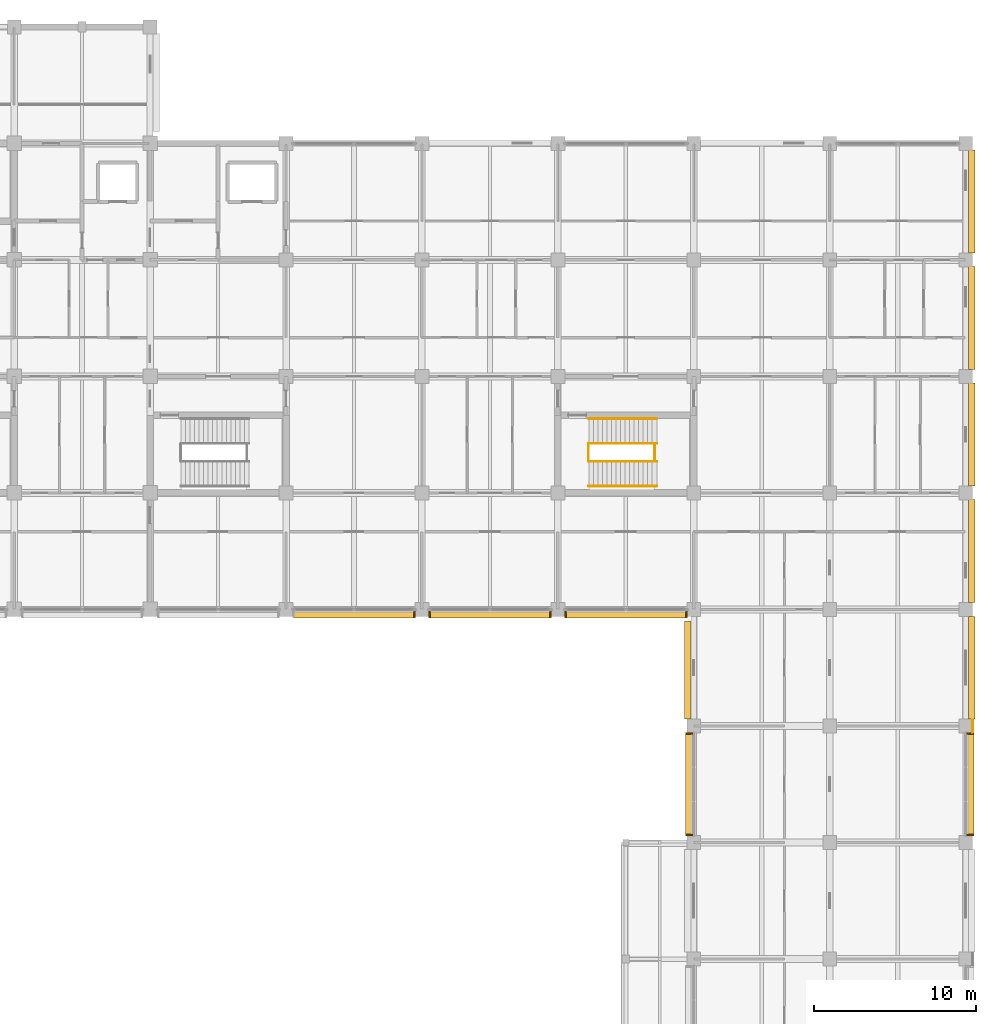
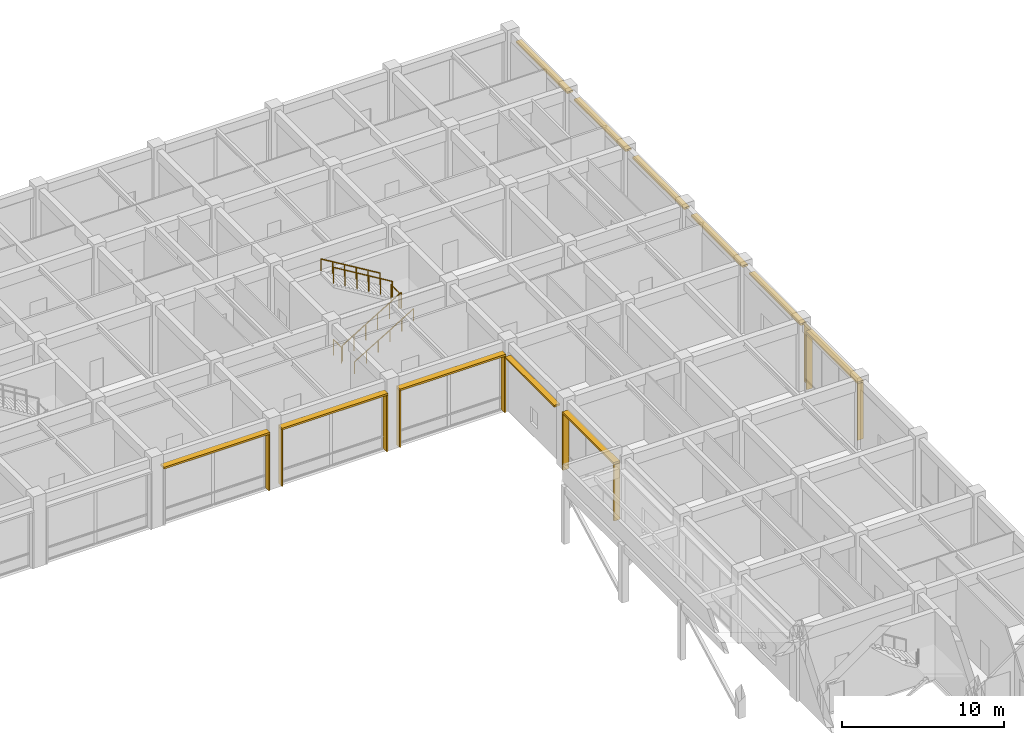
# One storey, part 68 of 68: 20 shading devices, 6 railings, 1 covering.
"""IFC4 building model written with IfcOpenShell, lengths in metres."""

from ifc_helpers import new_model, si_unit, direction, frame, origin, origin_2d, place, context, subcontext, project, spatial, rectangle, circle, extrude, material, layer, layer_set, type_object, element, save


model = new_model("IFC4")

# Units and contexts
model_context = context("Model", 3, precision=1e-05, world=origin(), true_north=direction((0.0, 1.0)))
body_context = subcontext(model_context, "Body", "Model", "MODEL_VIEW")
ifc_project = project(units=[si_unit("LENGTHUNIT", "METRE"), si_unit("AREAUNIT", "SQUARE_METRE"), si_unit("VOLUMEUNIT", "CUBIC_METRE"), si_unit("PLANEANGLEUNIT", "RADIAN"), si_unit("MASSUNIT", "GRAM", prefix="KILO")], contexts=[model_context])

# Site, building, storey
site_placement = place(None, origin())
site = spatial("IfcSite", under=ifc_project, at=site_placement, CompositionType="ELEMENT")
building_placement = place(site_placement, origin())
building = spatial("IfcBuilding", under=site, at=building_placement, Name="Chengyuan Square Courthouse", CompositionType="ELEMENT")
storey_placement = place(building_placement, frame((0.0, 0.0, 5.39990234375)))
storey = spatial("IfcBuildingStorey", under=building, at=storey_placement, Name="L02", CompositionType="ELEMENT", Elevation=5.39990234375)

# Covering
ifc_material_1 = material(Name="Flamed Liaoning Granite Column Cladding", Category="masonry")
ifc_layer = layer(ifc_material_1, 0.050048828125)
ifc_layer_set = layer_set([ifc_layer], Name="Flamed Liaoning Granite Column Cladding")
covering_type = type_object("IfcCoveringType", Name="CLD-01", PredefinedType="CLADDING", material=ifc_layer_set)
covering_placement = place(storey_placement, frame((168.445068359375, 72.0, 0.0), z_axis=(0.0, 0.0, 1.0), x_axis=(1.0, 0.0, 0.0)))
element("IfcCovering", 1, at=covering_placement, inside=storey, type_object=covering_type, Name="Granite Column Cladding CLD-L02-24", PredefinedType="CLADDING", context=body_context, shape_type="SweptSolid", body=[
    extrude(rectangle(XDim=0.050048828125, YDim=0.800048828125, at=origin_2d()), origin(), (0.0, 0.0, 1.0), 4.5),
])

# Railings
ifc_material_2 = material(Name="Tempered Glass and Timber Top-Rail Balustrade", Category="wood")
railing_type_1 = type_object("IfcRailingType", Name="RL-02", PredefinedType="BALUSTRADE", material=ifc_material_2)
for number, where, name in (
    (2, (144.68994140625, 88.39990234375, 0.0), "Stair Floor Slot Guard ST-10 L02"),
    (3, (148.7900390625, 88.39990234375, 2.7001953125), "Stair Landing Guard ST-10-L02"),
):
    element("IfcRailing", number, at=place(storey_placement, frame(where)), inside=storey, type_object=railing_type_1, Name=name, PredefinedType="BALUSTRADE", context=body_context, shape_type="SweptSolid", body=[
        extrude(circle(Radius=0.02392578125, at=origin_2d()), frame((0.0, 0.0, 1.17578125), z_axis=(0.0, 1.0, 0.0), x_axis=(-1.0, 0.0, 0.0)), (0.0, 0.0, 1.0), 1.0),
        extrude(circle(Radius=0.02099609375, at=origin_2d()), origin(), (0.0, 0.0, 1.0), 1.15185546875),
        extrude(circle(Radius=0.02099609375, at=origin_2d()), frame((0.0, 1.0, 0.0)), (0.0, 0.0, 1.0), 1.15185546875),
    ])
railing_1_placement = place(storey_placement, frame((144.7099609375, 88.35009765625, 0.1689453125)))
element("IfcRailing", 4, at=railing_1_placement, inside=storey, type_object=railing_type_1, Name="Stair Flight 1 Guard ST-10-L02", PredefinedType="BALUSTRADE", context=body_context, shape_type="SweptSolid", body=[
    extrude(circle(Radius=0.02392578125, at=origin_2d()), frame((0.0, 0.0, 1.17578125), z_axis=(0.856476492594, 0.0, 0.516186030065), x_axis=(0.0, 1.0, 0.0)), (0.0, 0.0, 1.0), 4.90380859375),
    extrude(circle(Radius=0.02099609375, at=origin_2d()), origin(), (0.0, 0.0, 1.0), 1.15185546875),
    extrude(circle(Radius=0.02099609375, at=origin_2d()), frame((0.840087890625, 0.0, 0.50634765625)), (0.0, 0.0, 1.0), 1.15185546875),
    extrude(circle(Radius=0.02099609375, at=origin_2d()), frame((1.679931640625, 0.0, 1.012451171875)), (0.0, 0.0, 1.0), 1.15185546875),
    extrude(circle(Radius=0.02099609375, at=origin_2d()), frame((2.52001953125, 0.0, 1.518798828125)), (0.0, 0.0, 1.0), 1.15185546875),
    extrude(circle(Radius=0.02099609375, at=origin_2d()), frame((3.35986328125, 0.0, 2.02490234375)), (0.0, 0.0, 1.0), 1.15185546875),
    extrude(circle(Radius=0.02099609375, at=origin_2d()), frame((4.199951171875, 0.0, 2.53125)), (0.0, 0.0, 1.0), 1.15185546875),
])
railing_2_placement = place(storey_placement, frame((148.909912109375, 89.449951171875, 2.868896484375)))
element("IfcRailing", 5, at=railing_2_placement, inside=storey, type_object=railing_type_1, Name="Stair Flight 2 Guard ST-10-L02", PredefinedType="BALUSTRADE", context=body_context, shape_type="SweptSolid", body=[
    extrude(circle(Radius=0.02392578125, at=origin_2d()), frame((0.0, 0.0, 1.17578125), z_axis=(-0.856476492594, 0.0, 0.516186030065), x_axis=(0.0, -1.0, 0.0)), (0.0, 0.0, 1.0), 4.90380859375),
    extrude(circle(Radius=0.02099609375, at=origin_2d()), origin(), (0.0, 0.0, 1.0), 1.15185546875),
    extrude(circle(Radius=0.02099609375, at=origin_2d()), frame((-0.840087890625, 0.0, 0.50634765625)), (0.0, 0.0, 1.0), 1.15185546875),
    extrude(circle(Radius=0.02099609375, at=origin_2d()), frame((-1.679931640625, 0.0, 1.012451171875)), (0.0, 0.0, 1.0), 1.15185546875),
    extrude(circle(Radius=0.02099609375, at=origin_2d()), frame((-2.52001953125, 0.0, 1.518798828125)), (0.0, 0.0, 1.0), 1.15185546875),
    extrude(circle(Radius=0.02099609375, at=origin_2d()), frame((-3.35986328125, 0.0, 2.02490234375)), (0.0, 0.0, 1.0), 1.15185546875),
    extrude(circle(Radius=0.02099609375, at=origin_2d()), frame((-4.199951171875, 0.0, 2.53125)), (0.0, 0.0, 1.0), 1.15185546875),
])
ifc_material_3 = material(Name="Stainless Steel S30408 Stair Handrail", Category="steel")
railing_type_2 = type_object("IfcRailingType", Name="RL-04", PredefinedType="HANDRAIL", material=ifc_material_3)
railing_3_placement = place(storey_placement, frame((144.7099609375, 86.820068359375, 0.1689453125)))
element("IfcRailing", 6, at=railing_3_placement, inside=storey, type_object=railing_type_2, Name="Stair Flight 1 Handrail ST-10-L02", PredefinedType="HANDRAIL", context=body_context, shape_type="SweptSolid", body=[
    extrude(circle(Radius=0.02392578125, at=origin_2d()), frame((0.0, 0.0, 0.8759765625), z_axis=(0.856476492594, 0.0, 0.516186030065), x_axis=(0.0, 1.0, 0.0)), (0.0, 0.0, 1.0), 4.90380859375),
    extrude(circle(Radius=0.02099609375, at=origin_2d()), origin(), (0.0, 0.0, 1.0), 0.851806640625),
    extrude(circle(Radius=0.02099609375, at=origin_2d()), frame((0.840087890625, 0.0, 0.50634765625)), (0.0, 0.0, 1.0), 0.851806640625),
    extrude(circle(Radius=0.02099609375, at=origin_2d()), frame((1.679931640625, 0.0, 1.012451171875)), (0.0, 0.0, 1.0), 0.851806640625),
    extrude(circle(Radius=0.02099609375, at=origin_2d()), frame((2.52001953125, 0.0, 1.518798828125)), (0.0, 0.0, 1.0), 0.851806640625),
    extrude(circle(Radius=0.02099609375, at=origin_2d()), frame((3.35986328125, 0.0, 2.02490234375)), (0.0, 0.0, 1.0), 0.851806640625),
    extrude(circle(Radius=0.02099609375, at=origin_2d()), frame((4.199951171875, 0.0, 2.53125)), (0.0, 0.0, 1.0), 0.851806640625),
])
railing_4_placement = place(storey_placement, frame((148.909912109375, 90.97998046875, 2.868896484375)))
element("IfcRailing", 7, at=railing_4_placement, inside=storey, type_object=railing_type_2, Name="Stair Flight 2 Handrail ST-10-L02", PredefinedType="HANDRAIL", context=body_context, shape_type="SweptSolid", body=[
    extrude(circle(Radius=0.02392578125, at=origin_2d()), frame((0.0, 0.0, 0.8759765625), z_axis=(-0.856476492594, 0.0, 0.516186030065), x_axis=(0.0, -1.0, 0.0)), (0.0, 0.0, 1.0), 4.90380859375),
    extrude(circle(Radius=0.02099609375, at=origin_2d()), origin(), (0.0, 0.0, 1.0), 0.851806640625),
    extrude(circle(Radius=0.02099609375, at=origin_2d()), frame((-0.840087890625, 0.0, 0.50634765625)), (0.0, 0.0, 1.0), 0.851806640625),
    extrude(circle(Radius=0.02099609375, at=origin_2d()), frame((-1.679931640625, 0.0, 1.012451171875)), (0.0, 0.0, 1.0), 0.851806640625),
    extrude(circle(Radius=0.02099609375, at=origin_2d()), frame((-2.52001953125, 0.0, 1.518798828125)), (0.0, 0.0, 1.0), 0.851806640625),
    extrude(circle(Radius=0.02099609375, at=origin_2d()), frame((-3.35986328125, 0.0, 2.02490234375)), (0.0, 0.0, 1.0), 0.851806640625),
    extrude(circle(Radius=0.02099609375, at=origin_2d()), frame((-4.199951171875, 0.0, 2.53125)), (0.0, 0.0, 1.0), 0.851806640625),
])

# Shading devices
ifc_material_4 = material(Name="Glulam TCt28 Solar Shading Fin", Category="wood")
shading_device_type_1 = type_object("IfcShadingDeviceType", Name="SHD-01", PredefinedType="JALOUSIE", material=ifc_material_4)
for number, where, z_axis, x_axis, name in (
    (8, (133.93505859375, 78.887939453125, 0.0400390625), (0.0, 0.0, 1.0), (0.0, 1.0, 0.0), "Glulam Solar Fin SHD-L02-0234"),
    (9, (134.864990234375, 78.887939453125, 0.0400390625), (0.0, 0.0, 1.0), (0.0, 1.0, 0.0), "Glulam Solar Fin SHD-L02-0236"),
    (10, (142.3349609375, 78.887939453125, 0.0400390625), (0.0, 0.0, 1.0), (0.0, 1.0, 0.0), "Glulam Solar Fin SHD-L02-0237"),
    (11, (143.264892578125, 78.887939453125, 0.0400390625), (0.0, 0.0, 1.0), (0.0, 1.0, 0.0), "Glulam Solar Fin SHD-L02-0239"),
    (12, (150.735107421875, 78.887939453125, 0.0400390625), (0.0, 0.0, 1.0), (0.0, 1.0, 0.0), "Glulam Solar Fin SHD-L02-0240"),
    (13, (150.91796875, 65.2548828125, 0.0400390625), (0.0, 0.0, 1.0), (1.0, 0.0, 0.0), "Glulam Solar Fin SHD-L02-0259"),
    (14, (150.91796875, 71.544921875, 0.0400390625), (0.0, 0.0, 1.0), (1.0, 0.0, 0.0), "Glulam Solar Fin SHD-L02-0260"),
    (15, (168.281982421875, 65.2548828125, 0.0400390625), (0.0, 0.0, 1.0), (1.0, 0.0, 0.0), "Glulam Solar Fin SHD-L02-0283"),
    (16, (168.281982421875, 71.544921875, 0.0400390625), (0.0, 0.0, 1.0), (1.0, 0.0, 0.0), "Glulam Solar Fin SHD-L02-0284"),
):
    element("IfcShadingDevice", number, at=place(storey_placement, frame(where, z_axis=z_axis, x_axis=x_axis)), inside=storey, type_object=shading_device_type_1, Name=name, PredefinedType="JALOUSIE", context=body_context, shape_type="SweptSolid", body=[
        extrude(rectangle(XDim=0.419921875, YDim=0.094970703125, at=origin_2d()), origin(), (0.0, 0.0, 1.0), 4.260009765625),
    ])
ifc_material_5 = material(Name="Glulam TCt28 Sunshade Louvre", Category="wood")
shading_device_type_2 = type_object("IfcShadingDeviceType", Name="SHD-02", PredefinedType="AWNING", material=ifc_material_5)
for number, where, z_axis, x_axis, name in (
    (17, (130.199951171875, 78.887939453125, 4.30029296875), (0.0, 0.0, 1.0), (1.0, 0.0, 0.0), "Glulam Sunshade Louvre SHD-L02-0235"),
    (18, (138.60009765625, 78.887939453125, 4.30029296875), (0.0, 0.0, 1.0), (1.0, 0.0, 0.0), "Glulam Sunshade Louvre SHD-L02-0238"),
    (19, (147.0, 78.887939453125, 4.30029296875), (0.0, 0.0, 1.0), (1.0, 0.0, 0.0), "Glulam Sunshade Louvre SHD-L02-0241"),
):
    element("IfcShadingDevice", number, at=place(storey_placement, frame(where, z_axis=z_axis, x_axis=x_axis)), inside=storey, type_object=shading_device_type_2, Name=name, PredefinedType="AWNING", context=body_context, shape_type="SweptSolid", body=[
        extrude(rectangle(XDim=7.550048828125, YDim=0.43994140625, at=origin_2d()), origin(), (0.0, 0.0, 1.0), 0.139892578125),
    ])
for number, where, z_axis, x_axis, name in (
    (20, (150.91796875, 68.39990234375, 4.30029296875), (0.0, 0.0, 1.0), (0.0, 1.0, 0.0), "Glulam Sunshade Louvre SHD-L02-0261"),
    (21, (168.281982421875, 68.39990234375, 4.30029296875), (0.0, 0.0, 1.0), (0.0, 1.0, 0.0), "Glulam Sunshade Louvre SHD-L02-0285"),
):
    element("IfcShadingDevice", number, at=place(storey_placement, frame(where, z_axis=z_axis, x_axis=x_axis)), inside=storey, type_object=shading_device_type_2, Name=name, PredefinedType="AWNING", context=body_context, shape_type="SweptSolid", body=[
        extrude(rectangle(XDim=6.35009765625, YDim=0.43994140625, at=origin_2d()), origin(), (0.0, 0.0, 1.0), 0.139892578125),
    ])
ifc_material_6 = material(Name="Glulam TCt28 Facade Sunshade", Category="wood")
shading_device_type_3 = type_object("IfcShadingDeviceType", Name="SHD-03", PredefinedType="AWNING", material=ifc_material_6)
shading_device_placement = place(storey_placement, frame((150.818115234375, 75.449951171875, 4.2802734375), z_axis=(0.0, 0.0, 1.0), x_axis=(0.0, 1.0, 0.0)))
element("IfcShadingDevice", 22, at=shading_device_placement, inside=storey, type_object=shading_device_type_3, Name="Glulam Facade Sunshade SHD-L02-0262", PredefinedType="AWNING", context=body_context, shape_type="SweptSolid", body=[
    extrude(rectangle(XDim=6.06005859375, YDim=0.39990234375, at=origin_2d()), origin(), (0.0, 0.0, 1.0), 0.139892578125),
])
for number, where, z_axis, x_axis, name in (
    (23, (168.382080078125, 75.60009765625, 4.2802734375), (0.0, 0.0, 1.0), (0.0, 1.0, 0.0), "Glulam Facade Sunshade SHD-L02-0286"),
    (24, (168.382080078125, 82.800048828125, 4.2802734375), (0.0, 0.0, 1.0), (0.0, 1.0, 0.0), "Glulam Facade Sunshade SHD-L02-0287"),
    (25, (168.382080078125, 90.0, 4.2802734375), (0.0, 0.0, 1.0), (0.0, 1.0, 0.0), "Glulam Facade Sunshade SHD-L02-0288"),
    (26, (168.382080078125, 97.199951171875, 4.2802734375), (0.0, 0.0, 1.0), (0.0, 1.0, 0.0), "Glulam Facade Sunshade SHD-L02-0289"),
    (27, (168.382080078125, 104.39990234375, 4.2802734375), (0.0, 0.0, 1.0), (0.0, 1.0, 0.0), "Glulam Facade Sunshade SHD-L02-0290"),
):
    element("IfcShadingDevice", number, at=place(storey_placement, frame(where, z_axis=z_axis, x_axis=x_axis)), inside=storey, type_object=shading_device_type_3, Name=name, PredefinedType="AWNING", context=body_context, shape_type="SweptSolid", body=[
        extrude(rectangle(XDim=6.360107421875, YDim=0.39990234375, at=origin_2d()), origin(), (0.0, 0.0, 1.0), 0.139892578125),
    ])

save(model, "model.ifc")
